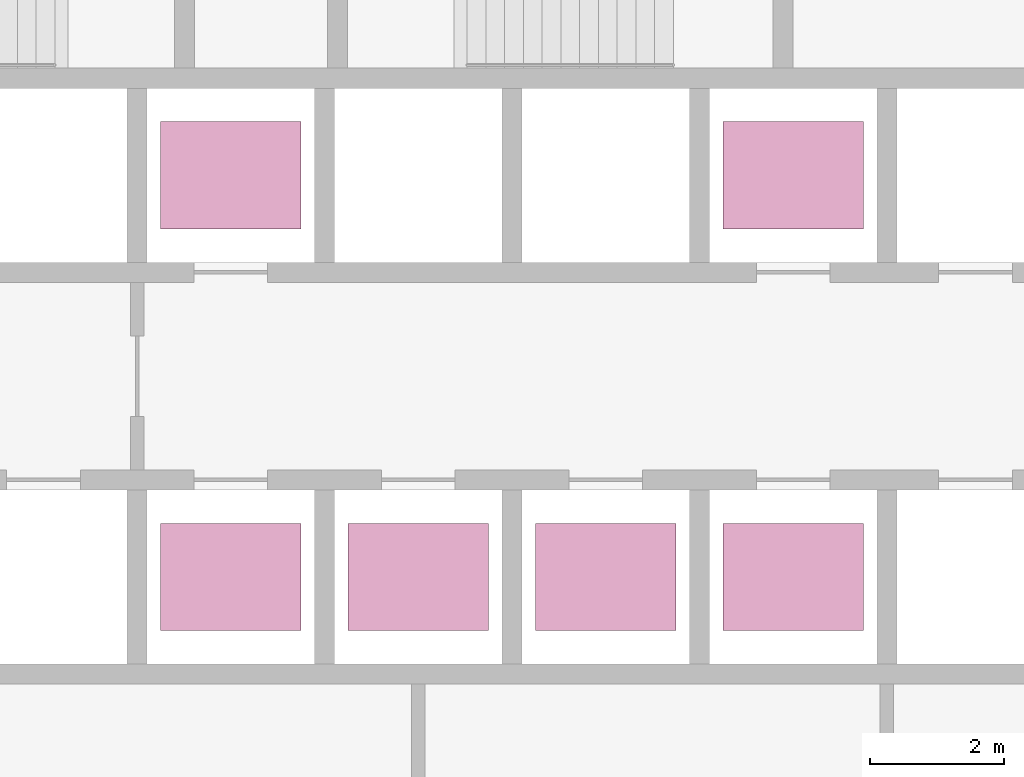
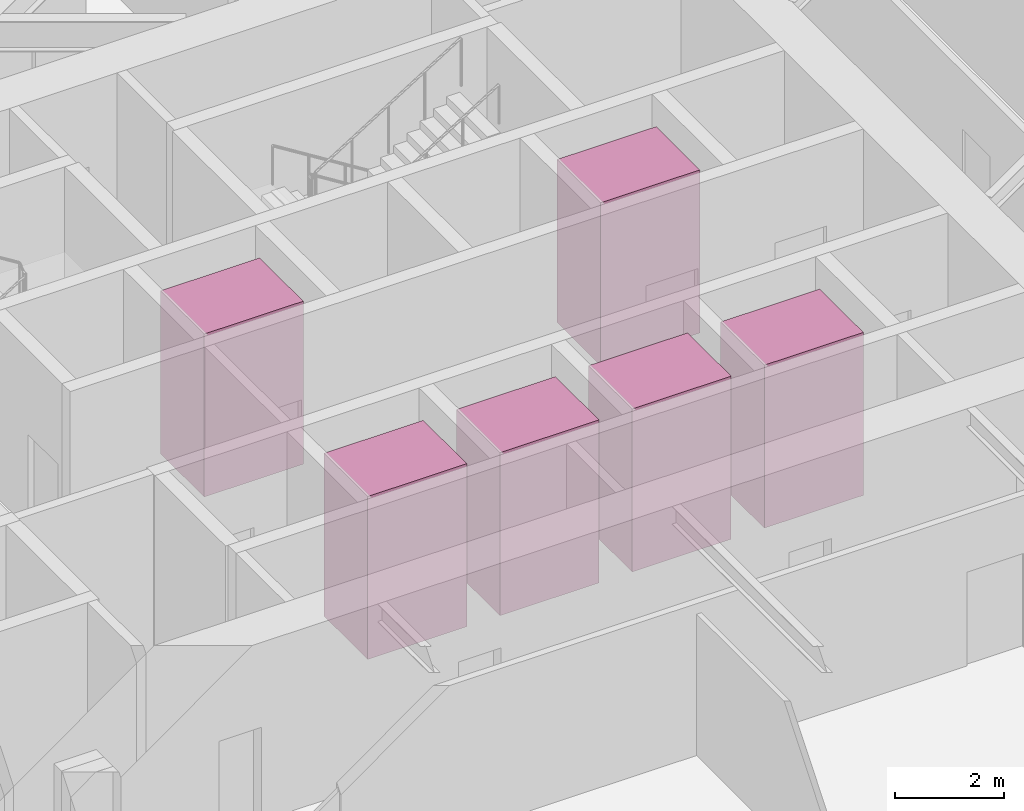
# One storey, part 19 of 19: 6 transport elements.
"""IFC4 building model written with IfcOpenShell, lengths in metres."""

from ifc_helpers import new_model, si_unit, direction, frame, origin, origin_2d, place, context, subcontext, project, spatial, rectangle, extrude, material, type_object, element, save


model = new_model("IFC4")

# Units and contexts
model_context = context("Model", 3, precision=1e-05, world=origin(), true_north=direction((0.0, 1.0)))
body_context = subcontext(model_context, "Body", "Model", "MODEL_VIEW")
ifc_project = project(units=[si_unit("LENGTHUNIT", "METRE"), si_unit("AREAUNIT", "SQUARE_METRE"), si_unit("VOLUMEUNIT", "CUBIC_METRE"), si_unit("PLANEANGLEUNIT", "RADIAN"), si_unit("MASSUNIT", "GRAM", prefix="KILO")], contexts=[model_context])

# Site, building, storey
site_placement = place(None, origin())
site = spatial("IfcSite", under=ifc_project, at=site_placement, CompositionType="ELEMENT")
building_placement = place(site_placement, origin())
building = spatial("IfcBuilding", under=site, at=building_placement, Name="Firuza Gate Tower and Library", CompositionType="ELEMENT")
storey_placement = place(building_placement, frame((0.0, 0.0, 103.0)))
storey = spatial("IfcBuildingStorey", under=building, at=storey_placement, Name="L23", CompositionType="ELEMENT", Elevation=103.0)

# Transport elements
ifc_material = material(Name="Stainless steel and glass", Category="steel")
transport_element_type = type_object("IfcTransportElementType", Name="Low-rise lift car 2100x1600", PredefinedType="ELEVATOR", material=ifc_material)
for number, where, z_axis, x_axis, name in (
    (1, (74.64990234375, 70.300048828125, 0.0), (0.0, 0.0, 1.0), (1.0, 0.0, 0.0), "Low-rise lift LR1"),
    (2, (77.449951171875, 70.300048828125, 0.0), (0.0, 0.0, 1.0), (1.0, 0.0, 0.0), "Low-rise lift LR2"),
    (3, (80.25, 70.300048828125, 0.0), (0.0, 0.0, 1.0), (1.0, 0.0, 0.0), "Low-rise lift LR3"),
    (4, (74.64990234375, 76.300048828125, 0.0), (0.0, 0.0, 1.0), (1.0, 0.0, 0.0), "Low-rise lift LR4"),
    (5, (83.050048828125, 70.300048828125, 0.0), (0.0, 0.0, 1.0), (1.0, 0.0, 0.0), "Low-rise lift LR5"),
    (6, (83.050048828125, 76.300048828125, 0.0), (0.0, 0.0, 1.0), (1.0, 0.0, 0.0), "Low-rise lift LR6"),
):
    element("IfcTransportElement", number, at=place(storey_placement, frame(where, z_axis=z_axis, x_axis=x_axis)), inside=storey, type_object=transport_element_type, Name=name, PredefinedType="ELEVATOR", context=body_context, shape_type="SweptSolid", body=[
        extrude(rectangle(XDim=2.10009765625, YDim=1.60009765625, at=origin_2d()), origin(), (0.0, 0.0, 1.0), 3.64990234375),
    ])

save(model, "model.ifc")
